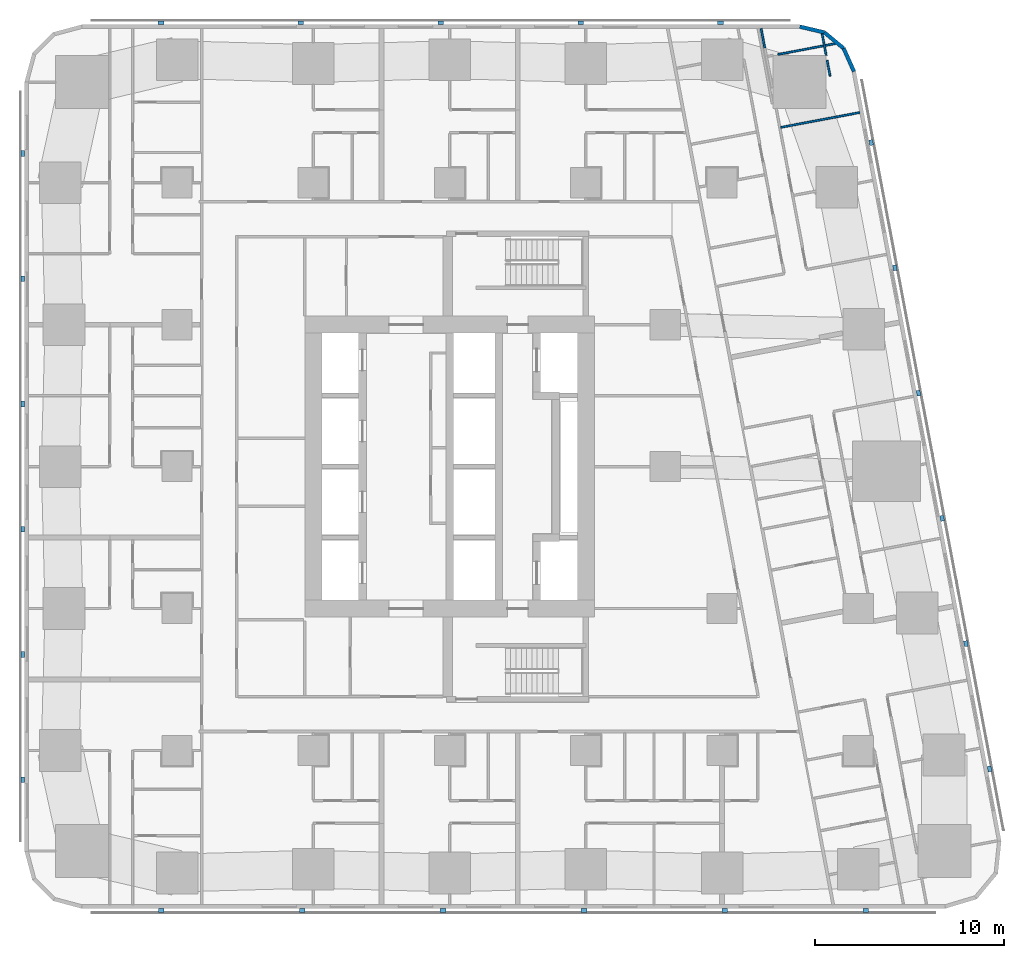
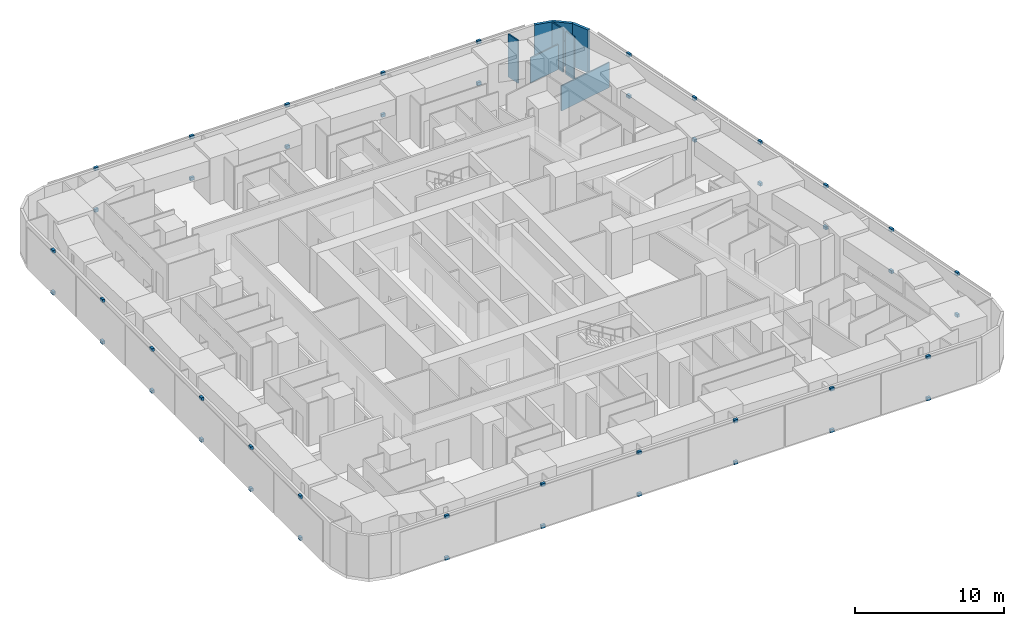
# One storey, part 12 of 16: 46 discrete accessories, 8 walls.
"""IFC4 building model written with IfcOpenShell, lengths in metres."""

from ifc_helpers import new_model, si_unit, direction, frame, frame_2d, origin, origin_2d, place, context, subcontext, project, spatial, rectangle, extrude, material, layer, layer_set, type_object, element, save


model = new_model("IFC4")

# Units and contexts
model_context = context("Model", 3, precision=1e-05, world=origin(), true_north=direction((0.0, 1.0)))
body_context = subcontext(model_context, "Body", "Model", "MODEL_VIEW")
ifc_project = project(units=[si_unit("LENGTHUNIT", "METRE"), si_unit("AREAUNIT", "SQUARE_METRE"), si_unit("VOLUMEUNIT", "CUBIC_METRE"), si_unit("PLANEANGLEUNIT", "RADIAN"), si_unit("MASSUNIT", "GRAM", prefix="KILO")], contexts=[model_context])

# Site, building, storey
site_placement = place(None, origin())
site = spatial("IfcSite", under=ifc_project, at=site_placement, CompositionType="ELEMENT")
building_placement = place(site_placement, origin())
building = spatial("IfcBuilding", under=site, at=building_placement, Name="Sheger Commons Tower", CompositionType="ELEMENT")
storey_placement = place(building_placement, frame((0.0, 0.0, 96.64990234375)))
storey = spatial("IfcBuildingStorey", under=building, at=storey_placement, Name="L24", CompositionType="ELEMENT", Elevation=96.64990234375)

# Walls
ifc_material_1 = material(Name="Rendered concrete block masonry, dark grey", Category="masonry")
ifc_layer_1 = layer(ifc_material_1, 0.199951171875)
ifc_layer_set_1 = layer_set([ifc_layer_1], Name="FACADE WALL 200")
wall_type_1 = type_object("IfcWallType", Name="FACADE WALL 200", PredefinedType="SOLIDWALL", material=ifc_layer_set_1)
wall_1_placement = place(storey_placement, frame((42.969970703125, 43.376953125, 0.0), z_axis=(0.0, 0.0, 1.0), x_axis=(-0.406002956633, 0.913871762998, 0.0)))
element("IfcWall", 1, at=wall_1_placement, inside=storey, type_object=wall_type_1, Name="Facade wall L24", PredefinedType="SOLIDWALL", context=body_context, shape_type="SweptSolid", body=[
    extrude(rectangle(XDim=1.33740234375, YDim=0.199951171875, at=frame_2d((0.668701171875, 0.0))), origin(), (0.0, 0.0, 1.0), 3.5),
])
wall_2_placement = place(storey_placement, frame((42.427001953125, 44.59912109375, 0.0), z_axis=(0.0, 0.0, 1.0), x_axis=(-0.770091412544, 0.637933551655, 0.0)))
element("IfcWall", 2, at=wall_2_placement, inside=storey, type_object=wall_type_1, Name="Facade wall L24", PredefinedType="SOLIDWALL", context=body_context, shape_type="SweptSolid", body=[
    extrude(rectangle(XDim=1.324462890625, YDim=0.199951171875, at=frame_2d((0.662109375, 0.0))), origin(), (0.0, 0.0, 1.0), 3.5),
])
wall_3_placement = place(storey_placement, frame((41.406982421875, 45.444091796875, 0.0), z_axis=(0.0, 0.0, 1.0), x_axis=(-0.973453091607, 0.228886606077, 0.0)))
element("IfcWall", 3, at=wall_3_placement, inside=storey, type_object=wall_type_1, Name="Facade wall L24", PredefinedType="SOLIDWALL", context=body_context, shape_type="SweptSolid", body=[
    extrude(rectangle(XDim=1.33642578125, YDim=0.199951171875, at=frame_2d((0.668212890625, 0.0))), origin(), (0.0, 0.0, 1.0), 3.5),
])
ifc_material_2 = material(Name="Gypsum board on steel studs", Category="steel")
ifc_layer_2 = layer(ifc_material_2, 0.10009765625)
ifc_layer_set_2 = layer_set([ifc_layer_2], Name="PARTITION 100")
wall_type_2 = type_object("IfcWallType", Name="PARTITION 100", PredefinedType="PARTITIONING", material=ifc_layer_set_2)
wall_4_placement = place(storey_placement, frame((41.287109375, 45.3701171875, 0.0), z_axis=(0.0, 0.0, 1.0), x_axis=(0.185121628323, -0.982715616405, 0.0)))
element("IfcWall", 4, at=wall_4_placement, inside=storey, type_object=wall_type_2, Name="Partition L24", PredefinedType="PARTITIONING", context=body_context, shape_type="SweptSolid", body=[
    extrude(rectangle(XDim=1.14990234375, YDim=0.10009765625, at=frame_2d((0.574951171875, 0.0))), origin(), (0.0, 0.0, 1.0), 3.5),
])
wall_5_placement = place(storey_placement, frame((41.551025390625, 43.968994140625, 0.0), z_axis=(0.0, 0.0, 1.0), x_axis=(0.185884171512, -0.982571663942, 0.0)))
element("IfcWall", 5, at=wall_5_placement, inside=storey, type_object=wall_type_2, Name="Partition L24", PredefinedType="PARTITIONING", context=body_context, shape_type="SweptSolid", body=[
    extrude(rectangle(XDim=0.849853515625, YDim=0.10009765625, at=frame_2d((0.4248046875, 0.0))), origin(), (0.0, 0.0, 1.0), 3.5),
])
wall_6_placement = place(storey_placement, frame((38.06298828125, 45.64990234375, 0.0), z_axis=(0.0, 0.0, 1.0), x_axis=(0.185677287841, -0.982610779902, 0.0)))
element("IfcWall", 6, at=wall_6_placement, inside=storey, type_object=wall_type_2, Name="Partition L24", PredefinedType="PARTITIONING", context=body_context, shape_type="SweptSolid", body=[
    extrude(rectangle(XDim=1.0400390625, YDim=0.10009765625, at=frame_2d((0.52001953125, 0.0))), origin(), (0.0, 0.0, 1.0), 3.5),
])
wall_7_placement = place(storey_placement, frame((41.968017578125, 44.85009765625, 0.0), z_axis=(0.0, 0.0, 1.0), x_axis=(-0.982566714195, -0.185910333644, 0.0)))
element("IfcWall", 7, at=wall_7_placement, inside=storey, type_object=wall_type_2, Name="Partition L24", PredefinedType="PARTITIONING", context=body_context, shape_type="SweptSolid", body=[
    extrude(rectangle(XDim=3.071533203125, YDim=0.10009765625, at=frame_2d((1.53564453125, 0.0))), origin(), (0.0, 0.0, 1.0), 2.050048828125),
])
wall_8_placement = place(storey_placement, frame((43.277099609375, 41.2119140625, 0.0), z_axis=(0.0, 0.0, 1.0), x_axis=(-0.982665405803, -0.185387972203, 0.0)))
element("IfcWall", 8, at=wall_8_placement, inside=storey, type_object=wall_type_2, Name="Partition L24", PredefinedType="PARTITIONING", context=body_context, shape_type="SweptSolid", body=[
    extrude(rectangle(XDim=4.249755859375, YDim=0.10009765625, at=frame_2d((2.125, 0.0))), origin(), (0.0, 0.0, 1.0), 2.050048828125),
])

# Discrete accessories
ifc_material_3 = material(Name="Black painted steel bracket", Category="steel")
discrete_accessory_type = type_object("IfcDiscreteAccessoryType", Name="SCREEN BRACKET 300x200x250", PredefinedType="BRACKET", material=ifc_material_3)
for number, where, z_axis, x_axis, name in (
    (9, (6.37109375, -0.949951171875, -0.099853515625), (0.0, 0.0, 1.0), (1.0, 0.0, 0.0), "Solar screen foot bracket"),
    (10, (6.37109375, -0.949951171875, 3.300048828125), (0.0, 0.0, 1.0), (1.0, 0.0, 0.0), "Solar screen head bracket"),
    (11, (13.81396484375, -0.949951171875, -0.099853515625), (0.0, 0.0, 1.0), (1.0, 0.0, 0.0), "Solar screen foot bracket"),
    (12, (13.81396484375, -0.949951171875, 3.300048828125), (0.0, 0.0, 1.0), (1.0, 0.0, 0.0), "Solar screen head bracket"),
    (13, (21.257080078125, -0.949951171875, -0.099853515625), (0.0, 0.0, 1.0), (1.0, 0.0, 0.0), "Solar screen foot bracket"),
    (14, (21.257080078125, -0.949951171875, 3.300048828125), (0.0, 0.0, 1.0), (1.0, 0.0, 0.0), "Solar screen head bracket"),
    (15, (28.698974609375, -0.949951171875, -0.099853515625), (0.0, 0.0, 1.0), (1.0, 0.0, 0.0), "Solar screen foot bracket"),
    (16, (28.698974609375, -0.949951171875, 3.300048828125), (0.0, 0.0, 1.0), (1.0, 0.0, 0.0), "Solar screen head bracket"),
    (17, (36.14208984375, -0.949951171875, -0.099853515625), (0.0, 0.0, 1.0), (1.0, 0.0, 0.0), "Solar screen foot bracket"),
    (18, (36.14208984375, -0.949951171875, 3.300048828125), (0.0, 0.0, 1.0), (1.0, 0.0, 0.0), "Solar screen head bracket"),
    (19, (43.5849609375, -0.949951171875, -0.099853515625), (0.0, 0.0, 1.0), (1.0, 0.0, 0.0), "Solar screen foot bracket"),
    (20, (43.5849609375, -0.949951171875, 3.300048828125), (0.0, 0.0, 1.0), (1.0, 0.0, 0.0), "Solar screen head bracket"),
    (21, (50.134033203125, 6.527099609375, -0.099853515625), (0.0, 0.0, 1.0), (-0.185615165645, 0.982622516678, 0.0), "Solar screen foot bracket"),
    (22, (50.134033203125, 6.527099609375, 3.300048828125), (0.0, 0.0, 1.0), (-0.185615165645, 0.982622516678, 0.0), "Solar screen head bracket"),
    (23, (48.884033203125, 13.14599609375, -0.099853515625), (0.0, 0.0, 1.0), (-0.185615165645, 0.982622516678, 0.0), "Solar screen foot bracket"),
    (24, (48.884033203125, 13.14599609375, 3.300048828125), (0.0, 0.0, 1.0), (-0.185615165645, 0.982622516678, 0.0), "Solar screen head bracket"),
    (25, (47.633056640625, 19.76611328125, -0.099853515625), (0.0, 0.0, 1.0), (-0.185615165645, 0.982622516678, 0.0), "Solar screen foot bracket"),
    (26, (47.633056640625, 19.76611328125, 3.300048828125), (0.0, 0.0, 1.0), (-0.185615165645, 0.982622516678, 0.0), "Solar screen head bracket"),
    (27, (46.383056640625, 26.385009765625, -0.099853515625), (0.0, 0.0, 1.0), (-0.185615165645, 0.982622516678, 0.0), "Solar screen foot bracket"),
    (28, (46.383056640625, 26.385009765625, 3.300048828125), (0.0, 0.0, 1.0), (-0.185615165645, 0.982622516678, 0.0), "Solar screen head bracket"),
    (29, (45.133056640625, 33.0048828125, -0.099853515625), (0.0, 0.0, 1.0), (-0.185615165645, 0.982622516678, 0.0), "Solar screen foot bracket"),
    (30, (45.133056640625, 33.0048828125, 3.300048828125), (0.0, 0.0, 1.0), (-0.185615165645, 0.982622516678, 0.0), "Solar screen head bracket"),
    (31, (43.882080078125, 39.6240234375, -0.099853515625), (0.0, 0.0, 1.0), (-0.185615165645, 0.982622516678, 0.0), "Solar screen foot bracket"),
    (32, (43.882080078125, 39.6240234375, 3.300048828125), (0.0, 0.0, 1.0), (-0.185615165645, 0.982622516678, 0.0), "Solar screen head bracket"),
    (33, (35.9208984375, 45.949951171875, -0.099853515625), (0.0, 0.0, 1.0), (-1.0, 0.0, 0.0), "Solar screen foot bracket"),
    (34, (35.9208984375, 45.949951171875, 3.300048828125), (0.0, 0.0, 1.0), (-1.0, 0.0, 0.0), "Solar screen head bracket"),
    (35, (28.528076171875, 45.949951171875, -0.099853515625), (0.0, 0.0, 1.0), (-1.0, 0.0, 0.0), "Solar screen foot bracket"),
    (36, (28.528076171875, 45.949951171875, 3.300048828125), (0.0, 0.0, 1.0), (-1.0, 0.0, 0.0), "Solar screen head bracket"),
    (37, (21.134033203125, 45.949951171875, -0.099853515625), (0.0, 0.0, 1.0), (-1.0, 0.0, 0.0), "Solar screen foot bracket"),
    (38, (21.134033203125, 45.949951171875, 3.300048828125), (0.0, 0.0, 1.0), (-1.0, 0.0, 0.0), "Solar screen head bracket"),
    (39, (13.739990234375, 45.949951171875, -0.099853515625), (0.0, 0.0, 1.0), (-1.0, 0.0, 0.0), "Solar screen foot bracket"),
    (40, (13.739990234375, 45.949951171875, 3.300048828125), (0.0, 0.0, 1.0), (-1.0, 0.0, 0.0), "Solar screen head bracket"),
    (41, (6.346923828125, 45.949951171875, -0.099853515625), (0.0, 0.0, 1.0), (-1.0, 0.0, 0.0), "Solar screen foot bracket"),
    (42, (6.346923828125, 45.949951171875, 3.300048828125), (0.0, 0.0, 1.0), (-1.0, 0.0, 0.0), "Solar screen head bracket"),
    (43, (-0.949951171875, 39.0419921875, -0.099853515625), (0.0, 0.0, 1.0), (0.0, -1.0, 0.0), "Solar screen foot bracket"),
    (44, (-0.949951171875, 39.0419921875, 3.300048828125), (0.0, 0.0, 1.0), (0.0, -1.0, 0.0), "Solar screen head bracket"),
    (45, (-0.949951171875, 32.425048828125, -0.099853515625), (0.0, 0.0, 1.0), (0.0, -1.0, 0.0), "Solar screen foot bracket"),
    (46, (-0.949951171875, 32.425048828125, 3.300048828125), (0.0, 0.0, 1.0), (0.0, -1.0, 0.0), "Solar screen head bracket"),
    (47, (-0.949951171875, 25.80810546875, -0.099853515625), (0.0, 0.0, 1.0), (0.0, -1.0, 0.0), "Solar screen foot bracket"),
    (48, (-0.949951171875, 25.80810546875, 3.300048828125), (0.0, 0.0, 1.0), (0.0, -1.0, 0.0), "Solar screen head bracket"),
    (49, (-0.949951171875, 19.19189453125, -0.099853515625), (0.0, 0.0, 1.0), (0.0, -1.0, 0.0), "Solar screen foot bracket"),
    (50, (-0.949951171875, 19.19189453125, 3.300048828125), (0.0, 0.0, 1.0), (0.0, -1.0, 0.0), "Solar screen head bracket"),
    (51, (-0.949951171875, 12.574951171875, -0.099853515625), (0.0, 0.0, 1.0), (0.0, -1.0, 0.0), "Solar screen foot bracket"),
    (52, (-0.949951171875, 12.574951171875, 3.300048828125), (0.0, 0.0, 1.0), (0.0, -1.0, 0.0), "Solar screen head bracket"),
    (53, (-0.949951171875, 5.9580078125, -0.099853515625), (0.0, 0.0, 1.0), (0.0, -1.0, 0.0), "Solar screen foot bracket"),
    (54, (-0.949951171875, 5.9580078125, 3.300048828125), (0.0, 0.0, 1.0), (0.0, -1.0, 0.0), "Solar screen head bracket"),
):
    element("IfcDiscreteAccessory", number, at=place(storey_placement, frame(where, z_axis=z_axis, x_axis=x_axis)), inside=storey, type_object=discrete_accessory_type, Name=name, PredefinedType="BRACKET", context=body_context, shape_type="SweptSolid", body=[
        extrude(rectangle(XDim=0.300048828125, YDim=0.199951171875, at=origin_2d()), origin(), (0.0, 0.0, 1.0), 0.25),
    ])

save(model, "model.ifc")
